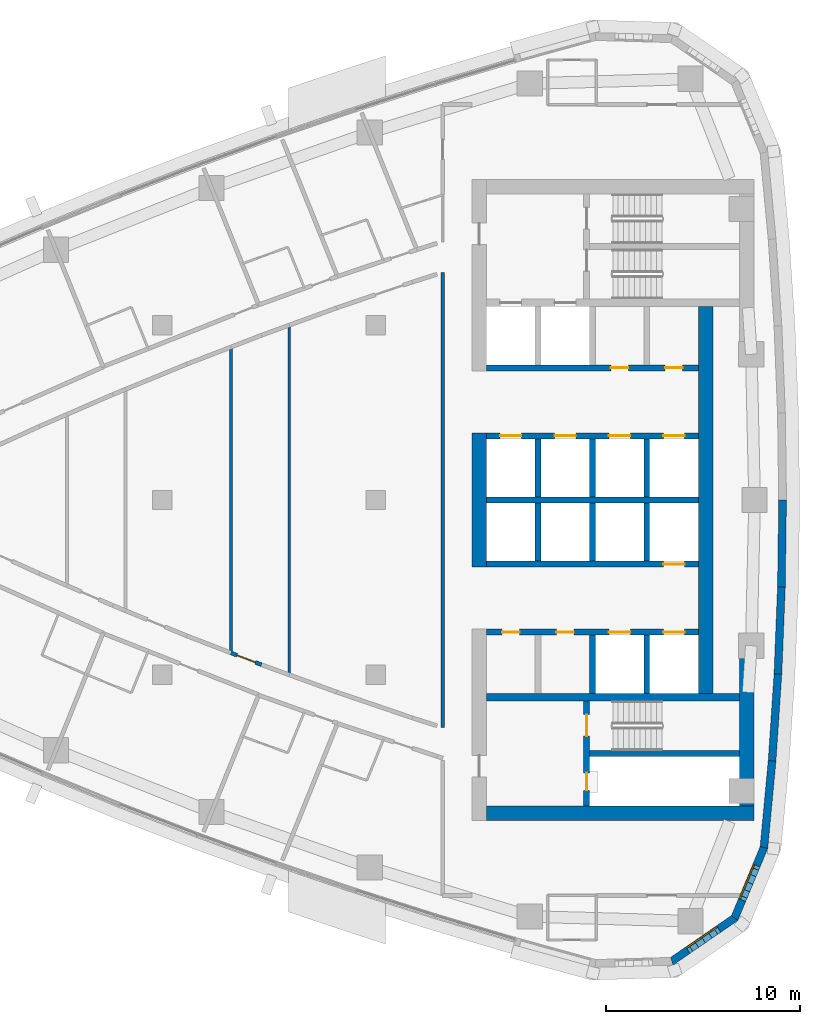
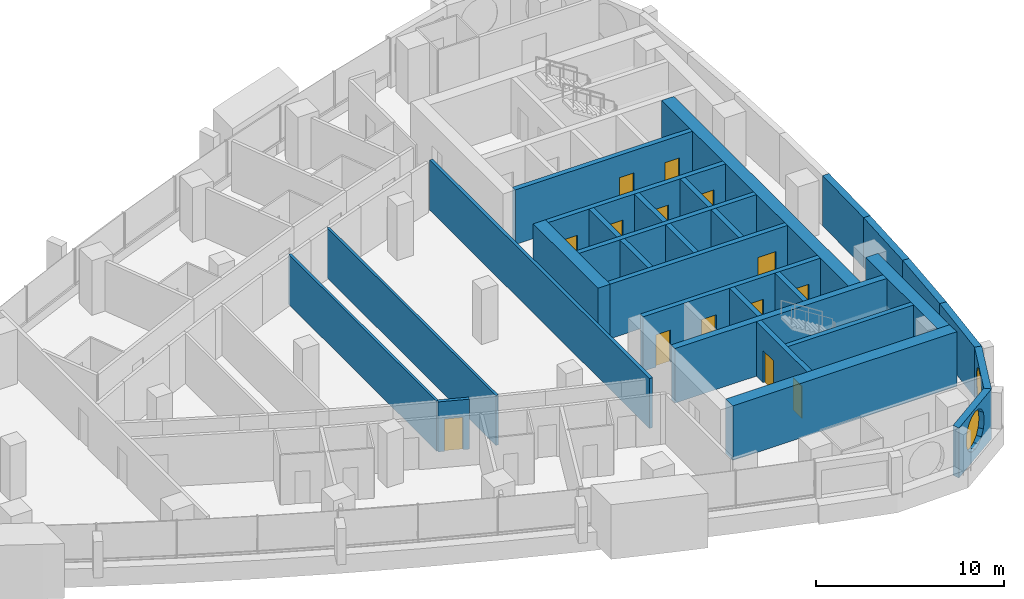
# One storey, part 11 of 17: 30 walls, 14 doors, 2 windows, 16 openings.
"""IFC4 building model written with IfcOpenShell, lengths in metres."""

from ifc_helpers import new_model, si_unit, direction, frame, frame_2d, origin, place, context, subcontext, project, spatial, polyline, rectangle, outline, extrude, material, layer, layer_set, type_object, element, fill, save


model = new_model("IFC4")

# Units and contexts
model_context = context("Model", 3, precision=1e-05, world=origin(), true_north=direction((0.0, 1.0)))
body_context = subcontext(model_context, "Body", "Model", "MODEL_VIEW")
ifc_project = project(units=[si_unit("LENGTHUNIT", "METRE"), si_unit("AREAUNIT", "SQUARE_METRE"), si_unit("VOLUMEUNIT", "CUBIC_METRE"), si_unit("PLANEANGLEUNIT", "RADIAN"), si_unit("MASSUNIT", "GRAM", prefix="KILO")], contexts=[model_context])

# Site, building, storey
site_placement = place(None, origin())
site = spatial("IfcSite", under=ifc_project, at=site_placement, CompositionType="ELEMENT")
building_placement = place(site_placement, origin())
building = spatial("IfcBuilding", under=site, at=building_placement, Name="Ostrand Prow Hotel Tower", CompositionType="ELEMENT")
storey_placement = place(building_placement, frame((0.0, 0.0, 179.050048828125)))
storey = spatial("IfcBuildingStorey", under=building, at=storey_placement, Name="L44", CompositionType="ELEMENT", Elevation=179.050048828125)

# Wall
ifc_material_1 = material(Name="Concrete C60/75", Category="concrete")
ifc_layer_1 = layer(ifc_material_1, 0.300048828125)
ifc_layer_set_1 = layer_set([ifc_layer_1], Name="Concrete C60/75")
wall_type_1 = type_object("IfcWallType", Name="Core wall 300 C60/75", PredefinedType="SHEAR", material=ifc_layer_set_1)
wall_1_placement = place(storey_placement, frame((50.699951171875, 0.0, 0.0), z_axis=(0.0, 0.0, 1.0), x_axis=(1.0, 0.0, 0.0)))
element("IfcWall", 1, at=wall_1_placement, inside=storey, type_object=wall_type_1, Name="Core wall PW-C", PredefinedType="SHEAR", context=body_context, shape_type="SweptSolid", body=[
    extrude(rectangle(XDim=10.900146484375, YDim=0.300048828125, at=frame_2d((5.4501953125, 0.0))), origin(), (0.0, 0.0, 1.0), 3.550048828125),
])

# Wall, openings, doors
wall_2_placement = place(storey_placement, frame((50.699951171875, 3.300048828125, 0.0), z_axis=(0.0, 0.0, 1.0), x_axis=(1.0, 0.0, 0.0)))
wall_2 = element("IfcWall", 2, at=wall_2_placement, inside=storey, type_object=wall_type_1, Name="Core wall PW-L1-N", PredefinedType="SHEAR", context=body_context, shape_type="SweptSolid", body=[
    extrude(rectangle(XDim=10.900146484375, YDim=0.300048828125, at=frame_2d((5.4501953125, 0.0))), origin(), (0.0, 0.0, 1.0), 3.550048828125),
])
opening_1_placement = place(wall_2_placement, frame((0.699951171875, 0.0, 0.0)))
opening_1 = element("IfcOpeningElement", 3, at=opening_1_placement, cuts=wall_2, Name="Opening LD", PredefinedType="OPENING", context=body_context, shape_type="SweptSolid", body=[
    extrude(rectangle(XDim=1.10009765625, YDim=2.10009765625, at=frame_2d((0.550048828125, 1.050048828125))), frame((0.0, 0.159912109375, 0.0), z_axis=(0.0, -1.0, 0.0), x_axis=(1.0, 0.0, 0.0)), (0.0, 0.0, 1.0), 0.320068359375),
])
opening_2_placement = place(wall_2_placement, frame((3.5, 0.0, 0.0)))
opening_2 = element("IfcOpeningElement", 4, at=opening_2_placement, cuts=wall_2, Name="Opening LD", PredefinedType="OPENING", context=body_context, shape_type="SweptSolid", body=[
    extrude(rectangle(XDim=1.10009765625, YDim=2.10009765625, at=frame_2d((0.550048828125, 1.050048828125))), frame((0.0, 0.159912109375, 0.0), z_axis=(0.0, -1.0, 0.0), x_axis=(1.0, 0.0, 0.0)), (0.0, 0.0, 1.0), 0.320068359375),
])
opening_3_placement = place(wall_2_placement, frame((6.300048828125, 0.0, 0.0)))
opening_3 = element("IfcOpeningElement", 5, at=opening_3_placement, cuts=wall_2, Name="Opening LD", PredefinedType="OPENING", context=body_context, shape_type="SweptSolid", body=[
    extrude(rectangle(XDim=1.10009765625, YDim=2.10009765625, at=frame_2d((0.550048828125, 1.050048828125))), frame((0.0, 0.159912109375, 0.0), z_axis=(0.0, -1.0, 0.0), x_axis=(1.0, 0.0, 0.0)), (0.0, 0.0, 1.0), 0.320068359375),
])
opening_4_placement = place(wall_2_placement, frame((9.10009765625, 0.0, 0.0)))
opening_4 = element("IfcOpeningElement", 6, at=opening_4_placement, cuts=wall_2, Name="Opening LD", PredefinedType="OPENING", context=body_context, shape_type="SweptSolid", body=[
    extrude(rectangle(XDim=1.10009765625, YDim=2.10009765625, at=frame_2d((0.550048828125, 1.050048828125))), frame((0.0, 0.159912109375, 0.0), z_axis=(0.0, -1.0, 0.0), x_axis=(1.0, 0.0, 0.0)), (0.0, 0.0, 1.0), 0.320068359375),
])
ifc_material_2 = material(Name="Stainless steel door", Category="steel")
door_type_1 = type_object("IfcDoorType", Name="Lift landing door 1100", OperationType="DOUBLE_DOOR_SLIDING", PredefinedType="DOOR", material=ifc_material_2)
door_1_placement = place(opening_1_placement, origin())
door_1 = element("IfcDoor", 7, at=door_1_placement, inside=storey, type_object=door_type_1, Name="LIFT LANDING DOOR", OperationType="DOUBLE_DOOR_SLIDING", OverallHeight=2.10009765625, OverallWidth=1.10009765625, PredefinedType="DOOR", context=body_context, shape_type="SweptSolid", body=[
    extrude(rectangle(XDim=1.10009765625, YDim=2.10009765625, at=frame_2d((0.550048828125, 1.050048828125))), frame((0.0, 0.02490234375, 0.0), z_axis=(0.0, -1.0, 0.0), x_axis=(1.0, 0.0, 0.0)), (0.0, 0.0, 1.0), 0.050048828125),
])
fill(opening_1, door_1)
door_2_placement = place(opening_2_placement, origin())
door_2 = element("IfcDoor", 8, at=door_2_placement, inside=storey, type_object=door_type_1, Name="LIFT LANDING DOOR", OperationType="DOUBLE_DOOR_SLIDING", OverallHeight=2.10009765625, OverallWidth=1.10009765625, PredefinedType="DOOR", context=body_context, shape_type="SweptSolid", body=[
    extrude(rectangle(XDim=1.10009765625, YDim=2.10009765625, at=frame_2d((0.550048828125, 1.050048828125))), frame((0.0, 0.02490234375, 0.0), z_axis=(0.0, -1.0, 0.0), x_axis=(1.0, 0.0, 0.0)), (0.0, 0.0, 1.0), 0.050048828125),
])
fill(opening_2, door_2)
door_3_placement = place(opening_3_placement, origin())
door_3 = element("IfcDoor", 9, at=door_3_placement, inside=storey, type_object=door_type_1, Name="LIFT LANDING DOOR", OperationType="DOUBLE_DOOR_SLIDING", OverallHeight=2.10009765625, OverallWidth=1.10009765625, PredefinedType="DOOR", context=body_context, shape_type="SweptSolid", body=[
    extrude(rectangle(XDim=1.10009765625, YDim=2.10009765625, at=frame_2d((0.550048828125, 1.050048828125))), frame((0.0, 0.02490234375, 0.0), z_axis=(0.0, -1.0, 0.0), x_axis=(1.0, 0.0, 0.0)), (0.0, 0.0, 1.0), 0.050048828125),
])
fill(opening_3, door_3)
door_4_placement = place(opening_4_placement, origin())
door_4 = element("IfcDoor", 10, at=door_4_placement, inside=storey, type_object=door_type_1, Name="LIFT LANDING DOOR", OperationType="DOUBLE_DOOR_SLIDING", OverallHeight=2.10009765625, OverallWidth=1.10009765625, PredefinedType="DOOR", context=body_context, shape_type="SweptSolid", body=[
    extrude(rectangle(XDim=1.10009765625, YDim=2.10009765625, at=frame_2d((0.550048828125, 1.050048828125))), frame((0.0, 0.02490234375, 0.0), z_axis=(0.0, -1.0, 0.0), x_axis=(1.0, 0.0, 0.0)), (0.0, 0.0, 1.0), 0.050048828125),
])
fill(opening_4, door_4)

wall_3_placement = place(storey_placement, frame((50.699951171875, 6.800048828125, 0.0), z_axis=(0.0, 0.0, 1.0), x_axis=(1.0, 0.0, 0.0)))
wall_3 = element("IfcWall", 11, at=wall_3_placement, inside=storey, type_object=wall_type_1, Name="Core wall PW-L2-N", PredefinedType="SHEAR", context=body_context, shape_type="SweptSolid", body=[
    extrude(rectangle(XDim=10.900146484375, YDim=0.300048828125, at=frame_2d((5.4501953125, 0.0))), origin(), (0.0, 0.0, 1.0), 3.550048828125),
])
opening_5_placement = place(wall_3_placement, frame((6.39990234375, 0.0, 0.0)))
opening_5 = element("IfcOpeningElement", 12, at=opening_5_placement, cuts=wall_3, Name="Opening FD2", PredefinedType="OPENING", context=body_context, shape_type="SweptSolid", body=[
    extrude(rectangle(XDim=0.89990234375, YDim=2.10009765625, at=frame_2d((0.449951171875, 1.050048828125))), frame((0.0, 0.159912109375, 0.0), z_axis=(0.0, -1.0, 0.0), x_axis=(1.0, 0.0, 0.0)), (0.0, 0.0, 1.0), 0.320068359375),
])
opening_6_placement = place(wall_3_placement, frame((9.199951171875, 0.0, 0.0)))
opening_6 = element("IfcOpeningElement", 13, at=opening_6_placement, cuts=wall_3, Name="Opening FD2", PredefinedType="OPENING", context=body_context, shape_type="SweptSolid", body=[
    extrude(rectangle(XDim=0.89990234375, YDim=2.10009765625, at=frame_2d((0.449951171875, 1.050048828125))), frame((0.0, 0.159912109375, 0.0), z_axis=(0.0, -1.0, 0.0), x_axis=(1.0, 0.0, 0.0)), (0.0, 0.0, 1.0), 0.320068359375),
])
ifc_material_3 = material(Name="Steel fire door", Category="steel")
door_type_2 = type_object("IfcDoorType", Name="Fire door 900 EI120", OperationType="SINGLE_SWING_LEFT", PredefinedType="DOOR", material=ifc_material_3)
door_5_placement = place(opening_5_placement, origin())
door_5 = element("IfcDoor", 14, at=door_5_placement, inside=storey, type_object=door_type_2, Name="DOOR", OperationType="SINGLE_SWING_LEFT", OverallHeight=2.10009765625, OverallWidth=0.89990234375, PredefinedType="DOOR", context=body_context, shape_type="SweptSolid", body=[
    extrude(rectangle(XDim=0.89990234375, YDim=2.10009765625, at=frame_2d((0.449951171875, 1.050048828125))), frame((0.0, 0.02490234375, 0.0), z_axis=(0.0, -1.0, 0.0), x_axis=(1.0, 0.0, 0.0)), (0.0, 0.0, 1.0), 0.050048828125),
])
fill(opening_5, door_5)
door_6_placement = place(opening_6_placement, origin())
door_6 = element("IfcDoor", 15, at=door_6_placement, inside=storey, type_object=door_type_2, Name="DOOR", OperationType="SINGLE_SWING_LEFT", OverallHeight=2.10009765625, OverallWidth=0.89990234375, PredefinedType="DOOR", context=body_context, shape_type="SweptSolid", body=[
    extrude(rectangle(XDim=0.89990234375, YDim=2.10009765625, at=frame_2d((0.449951171875, 1.050048828125))), frame((0.0, 0.02490234375, 0.0), z_axis=(0.0, -1.0, 0.0), x_axis=(1.0, 0.0, 0.0)), (0.0, 0.0, 1.0), 0.050048828125),
])
fill(opening_6, door_6)

# Walls
for number, where, z_axis, x_axis, name in (
    (16, (53.35009765625, 0.14990234375, 0.0), (0.0, 0.0, 1.0), (0.0, 1.0, 0.0), "Core wall PW-R1-NB"),
    (17, (56.14990234375, 0.14990234375, 0.0), (0.0, 0.0, 1.0), (0.0, 1.0, 0.0), "Core wall PW-R2-NB"),
    (18, (58.949951171875, 0.14990234375, 0.0), (0.0, 0.0, 1.0), (0.0, 1.0, 0.0), "Core wall PW-R3-NB"),
):
    element("IfcWall", number, at=place(storey_placement, frame(where, z_axis=z_axis, x_axis=x_axis)), inside=storey, type_object=wall_type_1, Name=name, PredefinedType="SHEAR", context=body_context, shape_type="SweptSolid", body=[
        extrude(rectangle(XDim=3.0, YDim=0.300048828125, at=frame_2d((1.5, 0.0))), origin(), (0.0, 0.0, 1.0), 3.550048828125),
    ])

# Wall, opening, door
wall_4_placement = place(storey_placement, frame((50.699951171875, -3.300048828125, 0.0), z_axis=(0.0, 0.0, 1.0), x_axis=(1.0, 0.0, 0.0)))
wall_4 = element("IfcWall", 19, at=wall_4_placement, inside=storey, type_object=wall_type_1, Name="Core wall PW-L1-S", PredefinedType="SHEAR", context=body_context, shape_type="SweptSolid", body=[
    extrude(rectangle(XDim=10.900146484375, YDim=0.300048828125, at=frame_2d((5.4501953125, 0.0))), origin(), (0.0, 0.0, 1.0), 3.550048828125),
])
opening_7_placement = place(wall_4_placement, frame((9.10009765625, 0.0, 0.0)))
opening_7 = element("IfcOpeningElement", 20, at=opening_7_placement, cuts=wall_4, Name="Opening LD", PredefinedType="OPENING", context=body_context, shape_type="SweptSolid", body=[
    extrude(rectangle(XDim=1.10009765625, YDim=2.10009765625, at=frame_2d((0.550048828125, 1.050048828125))), frame((0.0, 0.159912109375, 0.0), z_axis=(0.0, -1.0, 0.0), x_axis=(1.0, 0.0, 0.0)), (0.0, 0.0, 1.0), 0.320068359375),
])
door_7_placement = place(opening_7_placement, origin())
door_7 = element("IfcDoor", 21, at=door_7_placement, inside=storey, type_object=door_type_1, Name="LIFT LANDING DOOR", OperationType="DOUBLE_DOOR_SLIDING", OverallHeight=2.10009765625, OverallWidth=1.10009765625, PredefinedType="DOOR", context=body_context, shape_type="SweptSolid", body=[
    extrude(rectangle(XDim=1.10009765625, YDim=2.10009765625, at=frame_2d((0.550048828125, 1.050048828125))), frame((0.0, 0.02490234375, 0.0), z_axis=(0.0, -1.0, 0.0), x_axis=(1.0, 0.0, 0.0)), (0.0, 0.0, 1.0), 0.050048828125),
])
fill(opening_7, door_7)

# Wall, openings, doors
wall_5_placement = place(storey_placement, frame((50.699951171875, -6.800048828125, 0.0), z_axis=(0.0, 0.0, 1.0), x_axis=(1.0, 0.0, 0.0)))
wall_5 = element("IfcWall", 22, at=wall_5_placement, inside=storey, type_object=wall_type_1, Name="Core wall PW-L2-S", PredefinedType="SHEAR", context=body_context, shape_type="SweptSolid", body=[
    extrude(rectangle(XDim=10.900146484375, YDim=0.300048828125, at=frame_2d((5.4501953125, 0.0))), origin(), (0.0, 0.0, 1.0), 3.550048828125),
])
opening_8_placement = place(wall_5_placement, frame((6.300048828125, 0.0, 0.0)))
opening_8 = element("IfcOpeningElement", 23, at=opening_8_placement, cuts=wall_5, Name="Opening LD", PredefinedType="OPENING", context=body_context, shape_type="SweptSolid", body=[
    extrude(rectangle(XDim=1.10009765625, YDim=2.10009765625, at=frame_2d((0.550048828125, 1.050048828125))), frame((0.0, 0.159912109375, 0.0), z_axis=(0.0, -1.0, 0.0), x_axis=(1.0, 0.0, 0.0)), (0.0, 0.0, 1.0), 0.320068359375),
])
opening_9_placement = place(wall_5_placement, frame((9.10009765625, 0.0, 0.0)))
opening_9 = element("IfcOpeningElement", 24, at=opening_9_placement, cuts=wall_5, Name="Opening LD", PredefinedType="OPENING", context=body_context, shape_type="SweptSolid", body=[
    extrude(rectangle(XDim=1.10009765625, YDim=2.10009765625, at=frame_2d((0.550048828125, 1.050048828125))), frame((0.0, 0.159912109375, 0.0), z_axis=(0.0, -1.0, 0.0), x_axis=(1.0, 0.0, 0.0)), (0.0, 0.0, 1.0), 0.320068359375),
])
opening_10_placement = place(wall_5_placement, frame((0.800048828125, 0.0, 0.0)))
opening_10 = element("IfcOpeningElement", 25, at=opening_10_placement, cuts=wall_5, Name="Opening FD2", PredefinedType="OPENING", context=body_context, shape_type="SweptSolid", body=[
    extrude(rectangle(XDim=0.89990234375, YDim=2.10009765625, at=frame_2d((0.449951171875, 1.050048828125))), frame((0.0, 0.159912109375, 0.0), z_axis=(0.0, -1.0, 0.0), x_axis=(1.0, 0.0, 0.0)), (0.0, 0.0, 1.0), 0.320068359375),
])
opening_11_placement = place(wall_5_placement, frame((3.60009765625, 0.0, 0.0)))
opening_11 = element("IfcOpeningElement", 26, at=opening_11_placement, cuts=wall_5, Name="Opening FD2", PredefinedType="OPENING", context=body_context, shape_type="SweptSolid", body=[
    extrude(rectangle(XDim=0.89990234375, YDim=2.10009765625, at=frame_2d((0.449951171875, 1.050048828125))), frame((0.0, 0.159912109375, 0.0), z_axis=(0.0, -1.0, 0.0), x_axis=(1.0, 0.0, 0.0)), (0.0, 0.0, 1.0), 0.320068359375),
])
door_8_placement = place(opening_10_placement, origin())
door_8 = element("IfcDoor", 27, at=door_8_placement, inside=storey, type_object=door_type_2, Name="DOOR", OperationType="SINGLE_SWING_LEFT", OverallHeight=2.10009765625, OverallWidth=0.89990234375, PredefinedType="DOOR", context=body_context, shape_type="SweptSolid", body=[
    extrude(rectangle(XDim=0.89990234375, YDim=2.10009765625, at=frame_2d((0.449951171875, 1.050048828125))), frame((0.0, 0.02490234375, 0.0), z_axis=(0.0, -1.0, 0.0), x_axis=(1.0, 0.0, 0.0)), (0.0, 0.0, 1.0), 0.050048828125),
])
fill(opening_10, door_8)
door_9_placement = place(opening_11_placement, origin())
door_9 = element("IfcDoor", 28, at=door_9_placement, inside=storey, type_object=door_type_2, Name="DOOR", OperationType="SINGLE_SWING_LEFT", OverallHeight=2.10009765625, OverallWidth=0.89990234375, PredefinedType="DOOR", context=body_context, shape_type="SweptSolid", body=[
    extrude(rectangle(XDim=0.89990234375, YDim=2.10009765625, at=frame_2d((0.449951171875, 1.050048828125))), frame((0.0, 0.02490234375, 0.0), z_axis=(0.0, -1.0, 0.0), x_axis=(1.0, 0.0, 0.0)), (0.0, 0.0, 1.0), 0.050048828125),
])
fill(opening_11, door_9)
door_10_placement = place(opening_8_placement, origin())
door_10 = element("IfcDoor", 29, at=door_10_placement, inside=storey, type_object=door_type_1, Name="LIFT LANDING DOOR", OperationType="DOUBLE_DOOR_SLIDING", OverallHeight=2.10009765625, OverallWidth=1.10009765625, PredefinedType="DOOR", context=body_context, shape_type="SweptSolid", body=[
    extrude(rectangle(XDim=1.10009765625, YDim=2.10009765625, at=frame_2d((0.550048828125, 1.050048828125))), frame((0.0, 0.02490234375, 0.0), z_axis=(0.0, -1.0, 0.0), x_axis=(1.0, 0.0, 0.0)), (0.0, 0.0, 1.0), 0.050048828125),
])
fill(opening_8, door_10)
door_11_placement = place(opening_9_placement, origin())
door_11 = element("IfcDoor", 30, at=door_11_placement, inside=storey, type_object=door_type_1, Name="LIFT LANDING DOOR", OperationType="DOUBLE_DOOR_SLIDING", OverallHeight=2.10009765625, OverallWidth=1.10009765625, PredefinedType="DOOR", context=body_context, shape_type="SweptSolid", body=[
    extrude(rectangle(XDim=1.10009765625, YDim=2.10009765625, at=frame_2d((0.550048828125, 1.050048828125))), frame((0.0, 0.02490234375, 0.0), z_axis=(0.0, -1.0, 0.0), x_axis=(1.0, 0.0, 0.0)), (0.0, 0.0, 1.0), 0.050048828125),
])
fill(opening_9, door_11)

# Walls
for number, where, z_axis, x_axis, name in (
    (31, (53.35009765625, -3.14990234375, 0.0), (0.0, 0.0, 1.0), (0.0, 1.0, 0.0), "Core wall PW-R1-SB"),
    (32, (56.14990234375, -3.14990234375, 0.0), (0.0, 0.0, 1.0), (0.0, 1.0, 0.0), "Core wall PW-R2-SB"),
    (33, (56.14990234375, -9.949951171875, 0.0), (0.0, 0.0, 1.0), (0.0, 1.0, 0.0), "Core wall PW-R2-SA"),
    (34, (58.949951171875, -3.14990234375, 0.0), (0.0, 0.0, 1.0), (0.0, 1.0, 0.0), "Core wall PW-R3-SB"),
    (35, (58.949951171875, -9.949951171875, 0.0), (0.0, 0.0, 1.0), (0.0, 1.0, 0.0), "Core wall PW-R3-SA"),
):
    element("IfcWall", number, at=place(storey_placement, frame(where, z_axis=z_axis, x_axis=x_axis)), inside=storey, type_object=wall_type_1, Name=name, PredefinedType="SHEAR", context=body_context, shape_type="SweptSolid", body=[
        extrude(rectangle(XDim=3.0, YDim=0.300048828125, at=frame_2d((1.5, 0.0))), origin(), (0.0, 0.0, 1.0), 3.550048828125),
    ])

# Wall, openings, doors
wall_6_placement = place(storey_placement, frame((55.85009765625, -15.75, 0.0), z_axis=(0.0, 0.0, 1.0), x_axis=(0.0, 1.0, 0.0)))
wall_6 = element("IfcWall", 36, at=wall_6_placement, inside=storey, type_object=wall_type_1, Name="Core wall PW-VS", PredefinedType="SHEAR", context=body_context, shape_type="SweptSolid", body=[
    extrude(rectangle(XDim=5.39990234375, YDim=0.300048828125, at=frame_2d((2.699951171875, 0.0))), origin(), (0.0, 0.0, 1.0), 3.550048828125),
])
opening_12_placement = place(wall_6_placement, frame((3.60009765625, 0.0, 0.0)))
opening_12 = element("IfcOpeningElement", 37, at=opening_12_placement, cuts=wall_6, Name="Opening FD1", PredefinedType="OPENING", context=body_context, shape_type="SweptSolid", body=[
    extrude(rectangle(XDim=1.10009765625, YDim=2.10009765625, at=frame_2d((0.550048828125, 1.050048828125))), frame((0.0, 0.159912109375, 0.0), z_axis=(0.0, -1.0, 0.0), x_axis=(1.0, 0.0, 0.0)), (0.0, 0.0, 1.0), 0.320068359375),
])
opening_13_placement = place(wall_6_placement, frame((0.800048828125, 0.0, 0.0)))
opening_13 = element("IfcOpeningElement", 38, at=opening_13_placement, cuts=wall_6, Name="Opening FD2", PredefinedType="OPENING", context=body_context, shape_type="SweptSolid", body=[
    extrude(rectangle(XDim=0.89990234375, YDim=2.10009765625, at=frame_2d((0.449951171875, 1.050048828125))), frame((0.0, 0.159912109375, 0.0), z_axis=(0.0, -1.0, 0.0), x_axis=(1.0, 0.0, 0.0)), (0.0, 0.0, 1.0), 0.320068359375),
])
ifc_material_4 = material(Name="Steel fire door", Category="steel")
door_type_3 = type_object("IfcDoorType", Name="Fire door 1100 EI120", OperationType="SINGLE_SWING_RIGHT", PredefinedType="DOOR", material=ifc_material_4)
door_12_placement = place(opening_12_placement, origin())
door_12 = element("IfcDoor", 39, at=door_12_placement, inside=storey, type_object=door_type_3, Name="FIRE DOOR", OperationType="SINGLE_SWING_RIGHT", OverallHeight=2.10009765625, OverallWidth=1.10009765625, PredefinedType="DOOR", context=body_context, shape_type="SweptSolid", body=[
    extrude(rectangle(XDim=1.10009765625, YDim=2.10009765625, at=frame_2d((0.550048828125, 1.050048828125))), frame((0.0, 0.02490234375, 0.0), z_axis=(0.0, -1.0, 0.0), x_axis=(1.0, 0.0, 0.0)), (0.0, 0.0, 1.0), 0.050048828125),
])
fill(opening_12, door_12)
door_13_placement = place(opening_13_placement, origin())
door_13 = element("IfcDoor", 40, at=door_13_placement, inside=storey, type_object=door_type_2, Name="FIRE DOOR", OperationType="SINGLE_SWING_LEFT", OverallHeight=2.10009765625, OverallWidth=0.89990234375, PredefinedType="DOOR", context=body_context, shape_type="SweptSolid", body=[
    extrude(rectangle(XDim=0.89990234375, YDim=2.10009765625, at=frame_2d((0.449951171875, 1.050048828125))), frame((0.0, 0.02490234375, 0.0), z_axis=(0.0, -1.0, 0.0), x_axis=(1.0, 0.0, 0.0)), (0.0, 0.0, 1.0), 0.050048828125),
])
fill(opening_13, door_13)

# Walls
wall_7_placement = place(storey_placement, frame((56.0, -13.050048828125, 0.0), z_axis=(0.0, 0.0, 1.0), x_axis=(1.0, 0.0, 0.0)))
element("IfcWall", 41, at=wall_7_placement, inside=storey, type_object=wall_type_1, Name="Core wall PW-ST2R", PredefinedType="SHEAR", context=body_context, shape_type="SweptSolid", body=[
    extrude(rectangle(XDim=7.719970703125, YDim=0.300048828125, at=frame_2d((3.85986328125, 0.0))), origin(), (0.0, 0.0, 1.0), 3.550048828125),
])
ifc_material_5 = material(Name="Concrete C60/75", Category="concrete")
ifc_layer_2 = layer(ifc_material_5, 0.39990234375)
ifc_layer_set_2 = layer_set([ifc_layer_2], Name="Concrete C60/75")
wall_type_2 = type_object("IfcWallType", Name="Core wall 400 C60/75", PredefinedType="SHEAR", material=ifc_layer_set_2)
wall_8_placement = place(storey_placement, frame((50.699951171875, -10.14990234375, 0.0), z_axis=(0.0, 0.0, 1.0), x_axis=(1.0, 0.0, 0.0)))
element("IfcWall", 42, at=wall_8_placement, inside=storey, type_object=wall_type_2, Name="Core wall PW-BS", PredefinedType="SHEAR", context=body_context, shape_type="SweptSolid", body=[
    extrude(rectangle(XDim=13.02001953125, YDim=0.39990234375, at=frame_2d((6.510009765625, 0.0))), origin(), (0.0, 0.0, 1.0), 3.550048828125),
])
ifc_material_6 = material(Name="Concrete C60/75", Category="concrete")
ifc_layer_3 = layer(ifc_material_6, 0.75)
ifc_layer_set_3 = layer_set([ifc_layer_3], Name="Concrete C60/75")
wall_type_3 = type_object("IfcWallType", Name="Core wall 750 C60/75", PredefinedType="SHEAR", material=ifc_layer_set_3)
wall_9_placement = place(storey_placement, frame((50.324951171875, -3.449951171875, 0.0), z_axis=(0.0, 0.0, 1.0), x_axis=(0.0, 1.0, 0.0)))
element("IfcWall", 43, at=wall_9_placement, inside=storey, type_object=wall_type_3, Name="Core wall CW-W-C", PredefinedType="SHEAR", context=body_context, shape_type="SweptSolid", body=[
    extrude(rectangle(XDim=6.89990234375, YDim=0.75, at=frame_2d((3.449951171875, 0.0))), origin(), (0.0, 0.0, 1.0), 3.550048828125),
])
wall_10_placement = place(storey_placement, frame((50.699951171875, -16.125, 0.0), z_axis=(0.0, 0.0, 1.0), x_axis=(1.0, 0.0, 0.0)))
element("IfcWall", 44, at=wall_10_placement, inside=storey, type_object=wall_type_3, Name="Core wall CW-S", PredefinedType="SHEAR", context=body_context, shape_type="SweptSolid", body=[
    extrude(rectangle(XDim=13.77001953125, YDim=0.75, at=frame_2d((6.885009765625, 0.0))), origin(), (0.0, 0.0, 1.0), 3.550048828125),
])
wall_11_placement = place(storey_placement, frame((64.094970703125, -15.75, 0.0), z_axis=(0.0, 0.0, 1.0), x_axis=(0.0, 1.0, 0.0)))
element("IfcWall", 45, at=wall_11_placement, inside=storey, type_object=wall_type_3, Name="Core wall CW-E-S", PredefinedType="SHEAR", context=body_context, shape_type="SweptSolid", body=[
    extrude(rectangle(XDim=7.65087890625, YDim=0.75, at=frame_2d((3.825439453125, 0.0))), origin(), (0.0, 0.0, 1.0), 3.550048828125),
])
wall_12_placement = place(storey_placement, frame((61.97509765625, -9.949951171875, 0.0), z_axis=(0.0, 0.0, 1.0), x_axis=(0.0, 1.0, 0.0)))
element("IfcWall", 46, at=wall_12_placement, inside=storey, type_object=wall_type_3, Name="Core wall CW-E-C", PredefinedType="SHEAR", context=body_context, shape_type="SweptSolid", body=[
    extrude(rectangle(XDim=19.89990234375, YDim=0.75, at=frame_2d((9.949951171875, 0.0))), origin(), (0.0, 0.0, 1.0), 3.550048828125),
])
ifc_material_7 = material(Name="Plasterboard partition")
ifc_layer_4 = layer(ifc_material_7, 0.14990234375)
ifc_layer_set_4 = layer_set([ifc_layer_4], Name="Plasterboard partition")
wall_type_4 = type_object("IfcWallType", Name="Partition 150 room partition", PredefinedType="PARTITIONING", material=ifc_layer_set_4)
wall_13_placement = place(storey_placement, frame((37.546875, -7.872802734375, 0.0), z_axis=(0.0, 0.0, 1.0), x_axis=(0.0, 1.0, 0.0)))
element("IfcWall", 47, at=wall_13_placement, inside=storey, type_object=wall_type_4, Name="ROOM PARTITION", PredefinedType="PARTITIONING", context=body_context, shape_type="SweptSolid", body=[
    extrude(rectangle(XDim=15.74560546875, YDim=0.14990234375, at=frame_2d((7.872802734375, 0.0))), origin(), (0.0, 0.0, 1.0), 3.25),
])
wall_14_placement = place(storey_placement, frame((40.546875, -9.000244140625, 0.0), z_axis=(0.0, 0.0, 1.0), x_axis=(0.0, 1.0, 0.0)))
element("IfcWall", 48, at=wall_14_placement, inside=storey, type_object=wall_type_4, Name="ROOM PARTITION", PredefinedType="PARTITIONING", context=body_context, shape_type="SweptSolid", body=[
    extrude(rectangle(XDim=18.00048828125, YDim=0.14990234375, at=frame_2d((9.000244140625, 0.0))), origin(), (0.0, 0.0, 1.0), 3.25),
])

# Wall, opening, door
ifc_material_8 = material(Name="Plasterboard partition")
ifc_layer_5 = layer(ifc_material_8, 0.199951171875)
ifc_layer_set_5 = layer_set([ifc_layer_5], Name="Plasterboard partition")
wall_type_5 = type_object("IfcWallType", Name="Partition 200 corridor wall", PredefinedType="PARTITIONING", material=ifc_layer_set_5)
wall_15_placement = place(storey_placement, frame((39.115478515625, -8.4794921875, 0.0), z_axis=(0.0, 0.0, 1.0), x_axis=(-0.932670528514, 0.360729379511, 0.0)))
wall_15 = element("IfcWall", 49, at=wall_15_placement, inside=storey, type_object=wall_type_5, Name="CORRIDOR WALL", PredefinedType="PARTITIONING", context=body_context, shape_type="SweptSolid", body=[
    extrude(rectangle(XDim=1.681884765625, YDim=0.199951171875, at=frame_2d((0.8408203125, 0.0))), origin(), (0.0, 0.0, 1.0), 3.25),
])
opening_14_placement = place(wall_15_placement, frame((0.341064453125, 0.0, 0.0)))
opening_14 = element("IfcOpeningElement", 50, at=opening_14_placement, cuts=wall_15, Name="Opening D1", PredefinedType="OPENING", context=body_context, shape_type="SweptSolid", body=[
    extrude(rectangle(XDim=1.0, YDim=2.10009765625, at=frame_2d((0.5, 1.050048828125))), frame((0.0, 0.10986328125, 0.0), z_axis=(0.0, -1.0, 0.0), x_axis=(1.0, 0.0, 0.0)), (0.0, 0.0, 1.0), 0.219970703125),
])
ifc_material_9 = material(Name="Timber door leaf", Category="wood")
door_type_4 = type_object("IfcDoorType", Name="Guest room door 1000", OperationType="SINGLE_SWING_LEFT", PredefinedType="DOOR", material=ifc_material_9)
door_14_placement = place(opening_14_placement, origin())
door_14 = element("IfcDoor", 51, at=door_14_placement, inside=storey, type_object=door_type_4, Name="DOOR", OperationType="SINGLE_SWING_LEFT", OverallHeight=2.10009765625, OverallWidth=1.0, PredefinedType="DOOR", context=body_context, shape_type="SweptSolid", body=[
    extrude(rectangle(XDim=1.0, YDim=2.10009765625, at=frame_2d((0.5, 1.050048828125))), frame((0.0, 0.02490234375, 0.0), z_axis=(0.0, -1.0, 0.0), x_axis=(1.0, 0.0, 0.0)), (0.0, 0.0, 1.0), 0.050048828125),
])
fill(opening_14, door_14)

# Wall
wall_16_placement = place(storey_placement, frame((48.445068359375, 11.7099609375, 0.0), z_axis=(0.0, 0.0, 1.0), x_axis=(0.0, -1.0, 0.0)))
element("IfcWall", 52, at=wall_16_placement, inside=storey, type_object=wall_type_5, Name="CORRIDOR WALL", PredefinedType="PARTITIONING", context=body_context, shape_type="SweptSolid", body=[
    extrude(rectangle(XDim=23.419921875, YDim=0.199951171875, at=frame_2d((11.7099609375, 0.0))), origin(), (0.0, 0.0, 1.0), 3.25),
])

# Wall, opening, window
ifc_material_10 = material(Name="Precast concrete C40/50", Category="concrete")
ifc_layer_6 = layer(ifc_material_10, 0.39990234375)
ifc_layer_set_6 = layer_set([ifc_layer_6], Name="Precast concrete C40/50")
wall_type_6 = type_object("IfcWallType", Name="Stone-faced precast wall 400 mm", PredefinedType="NOTDEFINED", material=ifc_layer_set_6)
wall_17_placement = place(storey_placement, frame((60.235595703125, -23.7451171875, 0.0), z_axis=(0.0, 0.0, 1.0), x_axis=(0.823806162588, 0.566871596115, 0.0)))
wall_17 = element("IfcWall", 53, at=wall_17_placement, inside=storey, type_object=wall_type_6, Name="Stone-faced wall back 3", PredefinedType="NOTDEFINED", context=body_context, shape_type="SweptSolid", body=[
    extrude(outline(polyline([(-0.05908203125, -0.199951171875), (3.98828125, -0.199951171875), (3.8701171875, 0.199951171875), (0.05908203125, 0.199951171875), (-0.05908203125, -0.199951171875)])), origin(), (0.0, 0.0, 1.0), 3.25),
])
opening_15_placement = place(wall_17_placement, frame((0.864501953125, 0.0, 0.60009765625)))
opening_15 = element("IfcOpeningElement", 54, at=opening_15_placement, cuts=wall_17, Name="Opening WP1", PredefinedType="OPENING", context=body_context, shape_type="SweptSolid", body=[
    extrude(outline(polyline([(0.0, 1.35009765625), (0.083740234375, 1.77099609375), (0.322265625, 2.127685546875), (0.678955078125, 2.3662109375), (1.10009765625, 2.449951171875), (1.52099609375, 2.3662109375), (1.877685546875, 2.127685546875), (2.1162109375, 1.77099609375), (2.199951171875, 1.35009765625), (2.199951171875, 1.10009765625), (2.1162109375, 0.678955078125), (1.877685546875, 0.322265625), (1.52099609375, 0.083740234375), (1.10009765625, 0.0), (0.678955078125, 0.083740234375), (0.322265625, 0.322265625), (0.083740234375, 0.678955078125), (0.0, 1.099853515625), (0.0, 1.35009765625)])), frame((0.0, 0.2099609375, 0.0), z_axis=(0.0, -1.0, 0.0), x_axis=(1.0, 0.0, 0.0)), (0.0, 0.0, 1.0), 0.419921875),
])
ifc_material_11 = material(Name="Insulated glass in bronze frame", Category="glass")
window_type = type_object("IfcWindowType", Name="Round-ended prow window 2200x2450", PartitioningType="SINGLE_PANEL", PredefinedType="WINDOW", material=ifc_material_11)
window_1_placement = place(opening_15_placement, origin())
window_1 = element("IfcWindow", 55, at=window_1_placement, inside=storey, type_object=window_type, Name="Window back 3.1", OverallHeight=2.449951171875, OverallWidth=2.199951171875, PartitioningType="SINGLE_PANEL", PredefinedType="WINDOW", context=body_context, shape_type="SweptSolid", body=[
    extrude(outline(polyline([(0.0, 1.35009765625), (0.083740234375, 1.77099609375), (0.322265625, 2.127685546875), (0.678955078125, 2.3662109375), (1.10009765625, 2.449951171875), (1.52099609375, 2.3662109375), (1.877685546875, 2.127685546875), (2.1162109375, 1.77099609375), (2.199951171875, 1.35009765625), (2.199951171875, 1.10009765625), (2.1162109375, 0.678955078125), (1.877685546875, 0.322265625), (1.52099609375, 0.083740234375), (1.10009765625, 0.0), (0.678955078125, 0.083740234375), (0.322265625, 0.322265625), (0.083740234375, 0.678955078125), (0.0, 1.099853515625), (0.0, 1.35009765625)])), frame((0.0, 0.169921875, 0.0), z_axis=(0.0, -1.0, 0.0), x_axis=(1.0, 0.0, 0.0)), (0.0, 0.0, 1.0), 0.06005859375),
])
fill(opening_15, window_1)

wall_18_placement = place(storey_placement, frame((63.472412109375, -21.517822265625, 0.0), z_axis=(0.0, 0.0, 1.0), x_axis=(0.383997619794, 0.923334082547, 0.0)))
wall_18 = element("IfcWall", 56, at=wall_18_placement, inside=storey, type_object=wall_type_6, Name="Stone-faced wall back 4", PredefinedType="NOTDEFINED", context=body_context, shape_type="SweptSolid", body=[
    extrude(outline(polyline([(-0.05908203125, -0.199951171875), (3.95947265625, -0.199951171875), (3.89892578125, 0.199951171875), (0.05908203125, 0.199951171875), (-0.05908203125, -0.199951171875)])), origin(), (0.0, 0.0, 1.0), 3.25),
])
opening_16_placement = place(wall_18_placement, frame((0.864501953125, 0.0, 0.60009765625)))
opening_16 = element("IfcOpeningElement", 57, at=opening_16_placement, cuts=wall_18, Name="Opening WP1", PredefinedType="OPENING", context=body_context, shape_type="SweptSolid", body=[
    extrude(outline(polyline([(0.0, 1.35009765625), (0.083740234375, 1.77099609375), (0.322265625, 2.127685546875), (0.678955078125, 2.3662109375), (1.10009765625, 2.449951171875), (1.52099609375, 2.3662109375), (1.877685546875, 2.127685546875), (2.1162109375, 1.77099609375), (2.199951171875, 1.35009765625), (2.199951171875, 1.10009765625), (2.1162109375, 0.678955078125), (1.877685546875, 0.322265625), (1.52099609375, 0.083740234375), (1.10009765625, 0.0), (0.678955078125, 0.083740234375), (0.322265625, 0.322265625), (0.083740234375, 0.678955078125), (0.0, 1.099853515625), (0.0, 1.35009765625)])), frame((0.0, 0.2099609375, 0.0), z_axis=(0.0, -1.0, 0.0), x_axis=(1.0, 0.0, 0.0)), (0.0, 0.0, 1.0), 0.419921875),
])
window_2_placement = place(opening_16_placement, origin())
window_2 = element("IfcWindow", 58, at=window_2_placement, inside=storey, type_object=window_type, Name="Window back 4.1", OverallHeight=2.449951171875, OverallWidth=2.199951171875, PartitioningType="SINGLE_PANEL", PredefinedType="WINDOW", context=body_context, shape_type="SweptSolid", body=[
    extrude(outline(polyline([(0.0, 1.35009765625), (0.083740234375, 1.77099609375), (0.322265625, 2.127685546875), (0.678955078125, 2.3662109375), (1.10009765625, 2.449951171875), (1.52099609375, 2.3662109375), (1.877685546875, 2.127685546875), (2.1162109375, 1.77099609375), (2.199951171875, 1.35009765625), (2.199951171875, 1.10009765625), (2.1162109375, 0.678955078125), (1.877685546875, 0.322265625), (1.52099609375, 0.083740234375), (1.10009765625, 0.0), (0.678955078125, 0.083740234375), (0.322265625, 0.322265625), (0.083740234375, 0.678955078125), (0.0, 1.099853515625), (0.0, 1.35009765625)])), frame((0.0, 0.169921875, 0.0), z_axis=(0.0, -1.0, 0.0), x_axis=(1.0, 0.0, 0.0)), (0.0, 0.0, 1.0), 0.06005859375),
])
fill(opening_16, window_2)

# Walls
wall_19_placement = place(storey_placement, frame((64.981201171875, -17.889892578125, 0.0), z_axis=(0.0, 0.0, 1.0), x_axis=(0.093605694738, 0.995609348044, 0.0)))
element("IfcWall", 59, at=wall_19_placement, inside=storey, type_object=wall_type_6, Name="Stone-faced wall back 5", PredefinedType="NOTDEFINED", context=body_context, shape_type="SweptSolid", body=[
    extrude(outline(polyline([(-0.0302734375, -0.199951171875), (4.483642578125, -0.199951171875), (4.478271484375, 0.199951171875), (0.0302734375, 0.199951171875), (-0.0302734375, -0.199951171875)])), origin(), (0.0, 0.0, 1.0), 3.25),
])
for number, where, z_axis, x_axis, name in (
    (60, (65.400634765625, -13.4287109375, 0.0), (0.0, 0.0, 1.0), (0.066905935948, 0.997759287471, 0.0), "Stone-faced wall back 6"),
    (61, (65.700439453125, -8.957763671875, 0.0), (0.0, 0.0, 1.0), (0.040155165338, 0.999193456092, 0.0), "Stone-faced wall back 7"),
    (62, (65.88037109375, -4.48046875, 0.0), (0.0, 0.0, 1.0), (0.013348854104, 0.999910900078, 0.0), "Stone-faced wall back 8"),
):
    element("IfcWall", number, at=place(storey_placement, frame(where, z_axis=z_axis, x_axis=x_axis)), inside=storey, type_object=wall_type_6, Name=name, PredefinedType="NOTDEFINED", context=body_context, shape_type="SweptSolid", body=[
        extrude(outline(polyline([(-0.002685546875, -0.199951171875), (4.483642578125, -0.199951171875), (4.478271484375, 0.199951171875), (0.002685546875, 0.199951171875), (-0.002685546875, -0.199951171875)])), origin(), (0.0, 0.0, 1.0), 3.25),
    ])

save(model, "model.ifc")
